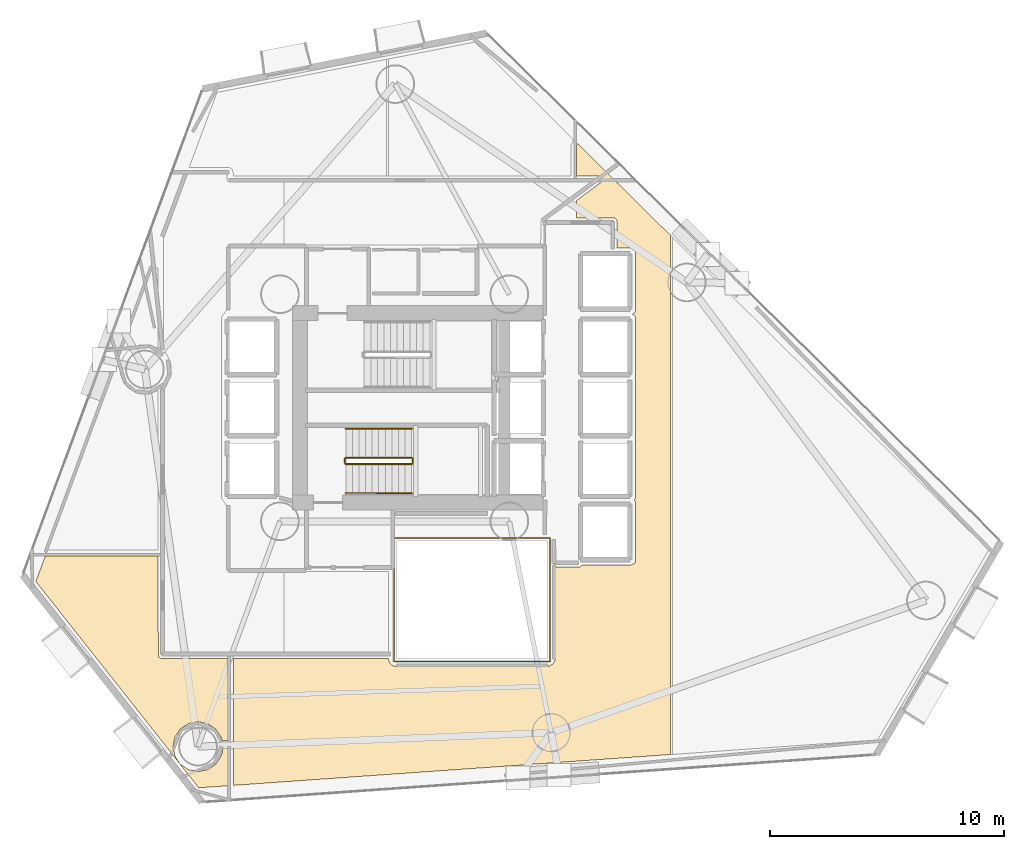
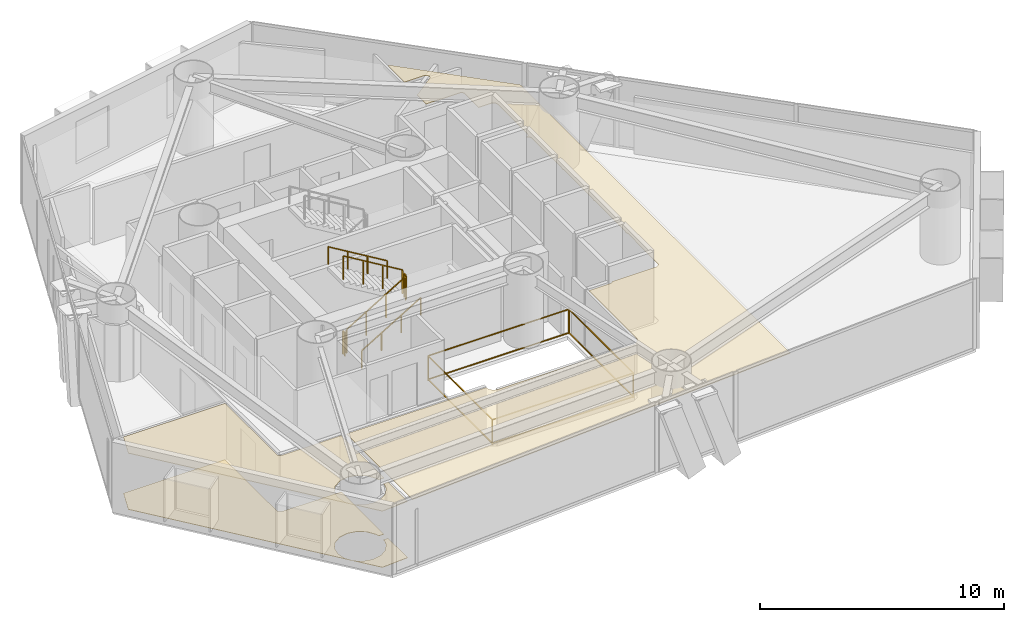
# One storey, part 21 of 24: 7 railings, 3 coverings.
"""IFC4 building model written with IfcOpenShell, lengths in metres."""

from ifc_helpers import new_model, si_unit, direction, frame, origin, origin_2d, place, context, subcontext, project, spatial, polyline, rectangle, outline, extrude, material, layer, layer_set, type_object, element, save


model = new_model("IFC4")

# Units and contexts
model_context = context("Model", 3, precision=1e-05, world=origin(), true_north=direction((0.0, 1.0)))
body_context = subcontext(model_context, "Body", "Model", "MODEL_VIEW")
ifc_project = project(units=[si_unit("LENGTHUNIT", "METRE"), si_unit("AREAUNIT", "SQUARE_METRE"), si_unit("VOLUMEUNIT", "CUBIC_METRE"), si_unit("PLANEANGLEUNIT", "RADIAN"), si_unit("MASSUNIT", "GRAM", prefix="KILO")], contexts=[model_context])

# Site, building, storey
site_placement = place(None, origin())
site = spatial("IfcSite", under=ifc_project, at=site_placement, CompositionType="ELEMENT")
building_placement = place(site_placement, origin())
building = spatial("IfcBuilding", under=site, at=building_placement, Name="Qianvela Tower", CompositionType="ELEMENT")
storey_placement = place(building_placement, frame((0.0, 0.0, 59.89990234375)))
storey = spatial("IfcBuildingStorey", under=building, at=storey_placement, Name="L14", CompositionType="ELEMENT", Elevation=59.89990234375)

# Coverings
ifc_material_1 = material(Name="Perforated Mineral Acoustic Ceiling Tile")
ifc_layer_1 = layer(ifc_material_1, 0.02490234375)
ifc_layer_set_1 = layer_set([ifc_layer_1], Name="Perforated Mineral Acoustic Ceiling Tile")
covering_type_1 = type_object("IfcCoveringType", Name="COV-CEIL-ACOUSTIC-25", PredefinedType="CEILING", material=ifc_layer_set_1)
covering_1_placement = place(storey_placement, frame((0.0, 0.0, 2.815185546875)))
element("IfcCovering", 1, at=covering_1_placement, inside=storey, type_object=covering_type_1, Name="L14 Acoustic Ceiling Media Practice Cinema L14-01", PredefinedType="CEILING", context=body_context, shape_type="SweptSolid", body=[
    extrude(outline(polyline([(23.403564453125, 18.105224609375), (23.40380859375, 18.097412109375), (23.405029296875, 18.089599609375), (23.406982421875, 18.082275390625), (23.40966796875, 18.07470703125), (23.4130859375, 18.067626953125), (23.4169921875, 18.06103515625), (23.421630859375, 18.0546875), (23.427001953125, 18.048828125), (23.432861328125, 18.043701171875), (23.439208984375, 18.0390625), (23.44580078125, 18.034912109375), (23.51220703125, 17.99951171875), (23.519287109375, 17.99609375), (23.52685546875, 17.993408203125), (23.534423828125, 17.991455078125), (23.542236328125, 17.990478515625), (23.550048828125, 17.989990234375), (26.3779296875, 17.989990234375), (26.3779296875, 14.494384765625), (26.1259765625, 14.49365234375), (26.086669921875, 14.625), (26.083984375, 14.63232421875), (26.08056640625, 14.6396484375), (26.076416015625, 14.646484375), (25.863037109375, 14.9658203125), (25.8583984375, 14.972412109375), (25.85302734375, 14.97802734375), (25.847412109375, 14.9833984375), (25.8408203125, 14.988037109375), (25.521484375, 15.201416015625), (25.5146484375, 15.20556640625), (25.507568359375, 15.208984375), (25.500244140625, 15.211669921875), (25.49267578125, 15.21337890625), (25.115478515625, 15.28857421875), (25.10791015625, 15.28955078125), (25.10009765625, 15.2900390625), (25.09228515625, 15.28955078125), (25.08447265625, 15.28857421875), (24.70751953125, 15.21337890625), (24.69970703125, 15.211669921875), (24.6923828125, 15.208984375), (24.685302734375, 15.20556640625), (24.6787109375, 15.201416015625), (24.359130859375, 14.988037109375), (24.352783203125, 14.9833984375), (24.346923828125, 14.97802734375), (24.341796875, 14.972412109375), (24.3369140625, 14.9658203125), (24.12353515625, 14.646484375), (24.119384765625, 14.6396484375), (24.1162109375, 14.632568359375), (24.11328125, 14.625244140625), (24.111572265625, 14.61767578125), (24.03662109375, 14.240478515625), (24.035400390625, 14.23291015625), (24.034912109375, 14.22509765625), (24.035400390625, 14.21728515625), (24.03662109375, 14.20947265625), (24.111572265625, 13.83251953125), (24.11328125, 13.82470703125), (24.1162109375, 13.8173828125), (24.119384765625, 13.810302734375), (24.12353515625, 13.8037109375), (24.3369140625, 13.484130859375), (24.341796875, 13.477783203125), (24.346923828125, 13.471923828125), (24.352783203125, 13.466796875), (24.359130859375, 13.4619140625), (24.6787109375, 13.24853515625), (24.685302734375, 13.244384765625), (24.6923828125, 13.2412109375), (24.69970703125, 13.23828125), (24.70751953125, 13.236572265625), (25.08447265625, 13.16162109375), (25.09228515625, 13.160400390625), (25.10009765625, 13.159912109375), (25.10791015625, 13.160400390625), (25.115478515625, 13.16162109375), (25.49267578125, 13.236572265625), (25.500244140625, 13.23828125), (25.507568359375, 13.2412109375), (25.5146484375, 13.244384765625), (25.521484375, 13.24853515625), (25.8408203125, 13.4619140625), (25.847412109375, 13.466796875), (25.85302734375, 13.471923828125), (25.8583984375, 13.477783203125), (25.863037109375, 13.484130859375), (26.076416015625, 13.8037109375), (26.08056640625, 13.810302734375), (26.083984375, 13.8173828125), (26.086669921875, 13.82470703125), (26.142578125, 14.009521484375), (26.14453125, 14.017578125), (26.145751953125, 14.025634765625), (26.1572265625, 14.15380859375), (26.3779296875, 14.154296875), (26.3779296875, 12.552490234375), (25.131103515625, 12.464599609375), (18.17138671875, 21.279296875), (18.578125, 22.3779296875), (23.39013671875, 22.3779296875), (23.403564453125, 18.105224609375)])), origin(), (0.0, 0.0, 1.0), 0.02490234375),
])
covering_2_placement = place(storey_placement, frame((0.0, 0.0, 2.815185546875)))
element("IfcCovering", 2, at=covering_2_placement, inside=storey, type_object=covering_type_1, Name="L14 Acoustic Ceiling Bay 1 Student Fitness Gym L14-02", PredefinedType="CEILING", context=body_context, shape_type="SweptSolid", body=[
    extrude(outline(polyline([(26.6220703125, 17.989990234375), (33.243408203125, 17.989990234375), (33.24560546875, 17.94189453125), (33.24609375, 17.93505859375), (33.247314453125, 17.927978515625), (33.2490234375, 17.92138671875), (33.25146484375, 17.914794921875), (33.293212890625, 17.813720703125), (33.296630859375, 17.806640625), (33.30078125, 17.800048828125), (33.305419921875, 17.793701171875), (33.310546875, 17.787841796875), (33.387939453125, 17.710693359375), (33.39306640625, 17.705810546875), (33.398681640625, 17.70166015625), (33.40478515625, 17.69775390625), (33.410888671875, 17.694580078125), (33.41748046875, 17.69189453125), (33.545654296875, 17.64599609375), (33.55224609375, 17.64404296875), (33.558837890625, 17.642578125), (33.565673828125, 17.6416015625), (33.572509765625, 17.641357421875), (40.0546875, 17.6455078125), (40.063232421875, 17.64599609375), (40.07177734375, 17.647216796875), (40.080078125, 17.6494140625), (40.088134765625, 17.652587890625), (40.095703125, 17.65673828125), (40.257568359375, 17.75390625), (40.263671875, 17.7578125), (40.269287109375, 17.76220703125), (40.274658203125, 17.767333984375), (40.279296875, 17.77294921875), (40.28369140625, 17.77880859375), (40.287353515625, 17.78515625), (40.290283203125, 17.791748046875), (40.3525390625, 17.94189453125), (40.355224609375, 17.94921875), (40.357177734375, 17.956787109375), (40.3583984375, 17.964599609375), (40.358642578125, 17.972412109375), (40.360107421875, 21.889892578125), (41.367919921875, 21.890380859375), (41.375732421875, 21.890869140625), (41.383544921875, 21.891845703125), (41.39111328125, 21.893798828125), (41.3984375, 21.896484375), (41.405517578125, 21.89990234375), (41.45947265625, 21.9287109375), (41.46630859375, 21.932861328125), (41.472900390625, 21.9375), (41.478759765625, 21.943115234375), (41.48388671875, 21.948974609375), (41.48876953125, 21.955322265625), (41.492919921875, 21.96240234375), (41.49609375, 21.969482421875), (41.498779296875, 21.97705078125), (41.49951171875, 21.97998046875), (43.580078125, 21.97998046875), (43.587158203125, 21.980224609375), (43.59423828125, 21.981201171875), (43.601318359375, 21.98291015625), (43.608154296875, 21.985107421875), (43.61474609375, 21.988037109375), (43.62109375, 21.991455078125), (43.74462890625, 22.0654296875), (43.75146484375, 22.070068359375), (43.7578125, 22.0751953125), (43.763427734375, 22.0810546875), (43.7685546875, 22.08740234375), (43.77294921875, 22.09423828125), (43.776611328125, 22.101806640625), (43.779541015625, 22.109375), (43.78173828125, 22.1171875), (43.782958984375, 22.125244140625), (43.783447265625, 22.133544921875), (43.800048828125, 24.599609375), (43.7998046875, 24.6064453125), (43.798828125, 24.61328125), (43.79736328125, 24.620361328125), (43.79541015625, 24.626953125), (43.763427734375, 24.7158203125), (43.760498046875, 24.722900390625), (43.7568359375, 24.72998046875), (43.75244140625, 24.736572265625), (43.74755859375, 24.742431640625), (43.741943359375, 24.748046875), (43.73779296875, 24.75146484375), (43.785888671875, 24.83154296875), (43.7900390625, 24.839111328125), (43.793212890625, 24.84716796875), (43.79541015625, 24.85546875), (43.796875, 24.864013671875), (43.79736328125, 24.87255859375), (43.800048828125, 27.2998046875), (43.799560546875, 27.307861328125), (43.79833984375, 27.31591796875), (43.79638671875, 27.323486328125), (43.793701171875, 27.3310546875), (43.7646484375, 27.39990234375), (43.793701171875, 27.468994140625), (43.79638671875, 27.476318359375), (43.79833984375, 27.484130859375), (43.799560546875, 27.491943359375), (43.800048828125, 27.5), (43.800048828125, 29.89990234375), (43.799560546875, 29.907958984375), (43.79833984375, 29.915771484375), (43.79638671875, 29.923583984375), (43.793701171875, 29.93115234375), (43.7646484375, 30.0), (43.793701171875, 30.06884765625), (43.79638671875, 30.076416015625), (43.79833984375, 30.084228515625), (43.799560546875, 30.09228515625), (43.800048828125, 30.10009765625), (43.7939453125, 32.540771484375), (43.793701171875, 32.548583984375), (43.79248046875, 32.556396484375), (43.79052734375, 32.56396484375), (43.787841796875, 32.5712890625), (43.784423828125, 32.578369140625), (43.780517578125, 32.585205078125), (43.7353515625, 32.652587890625), (43.73095703125, 32.658447265625), (43.726318359375, 32.6640625), (43.720947265625, 32.6689453125), (43.715087890625, 32.673583984375), (43.708984375, 32.677490234375), (43.702392578125, 32.680908203125), (43.69580078125, 32.68359375), (43.644287109375, 32.701904296875), (43.722412109375, 32.739013671875), (43.729248046875, 32.74267578125), (43.73583984375, 32.746826171875), (43.741943359375, 32.751953125), (43.74755859375, 32.757568359375), (43.75244140625, 32.763427734375), (43.7568359375, 32.77001953125), (43.760498046875, 32.777099609375), (43.763427734375, 32.7841796875), (43.79541015625, 32.873046875), (43.7978515625, 32.8818359375), (43.799560546875, 32.890869140625), (43.800048828125, 32.89990234375), (43.800048828125, 35.300048828125), (43.799560546875, 35.30908203125), (43.7978515625, 35.318115234375), (43.79541015625, 35.326904296875), (43.763427734375, 35.415771484375), (43.760498046875, 35.423095703125), (43.7568359375, 35.429931640625), (43.75244140625, 35.4365234375), (43.74755859375, 35.4423828125), (43.741943359375, 35.447998046875), (43.73583984375, 35.453125), (43.729248046875, 35.45751953125), (43.6484375, 35.505859375), (43.640869140625, 35.510009765625), (43.6328125, 35.51318359375), (43.62451171875, 35.515380859375), (43.6162109375, 35.516845703125), (43.607666015625, 35.517333984375), (43.0, 35.519775390625), (43.010009765625, 36.6494140625), (43.009765625, 36.656494140625), (43.0087890625, 36.663818359375), (43.007080078125, 36.6708984375), (43.0048828125, 36.677978515625), (43.002197265625, 36.684814453125), (42.99853515625, 36.691162109375), (42.956298828125, 36.76171875), (42.951904296875, 36.7685546875), (42.946533203125, 36.77490234375), (42.940673828125, 36.780517578125), (42.93408203125, 36.78564453125), (42.92724609375, 36.7900390625), (42.919921875, 36.793701171875), (42.912353515625, 36.796630859375), (42.904296875, 36.798828125), (42.896240234375, 36.800048828125), (42.88818359375, 36.800537109375), (41.261962890625, 36.8095703125), (41.261962890625, 37.552001953125), (42.298583984375, 38.321533203125), (42.303955078125, 38.326171875), (42.30908203125, 38.3310546875), (42.31396484375, 38.336669921875), (42.318115234375, 38.342529296875), (42.32177734375, 38.3486328125), (42.35400390625, 38.410400390625), (42.357177734375, 38.417236328125), (42.359619140625, 38.424560546875), (42.361572265625, 38.431884765625), (42.362548828125, 38.439208984375), (42.363037109375, 38.44677734375), (42.36279296875, 38.454345703125), (42.36181640625, 38.4619140625), (42.360107421875, 38.46923828125), (42.357666015625, 38.476318359375), (42.335205078125, 38.53466796875), (42.33203125, 38.54150390625), (42.328369140625, 38.548095703125), (42.32421875, 38.55419921875), (42.3193359375, 38.559814453125), (42.31396484375, 38.565185546875), (42.30810546875, 38.56982421875), (42.302001953125, 38.57421875), (42.29541015625, 38.57763671875), (42.245849609375, 38.6015625), (42.2392578125, 38.6044921875), (42.232421875, 38.606689453125), (42.225341796875, 38.6083984375), (42.21826171875, 38.609375), (42.211181640625, 38.609619140625), (41.26220703125, 38.610107421875), (41.2626953125, 39.880126953125), (41.3125, 39.993896484375), (45.29052734375, 36.06103515625), (45.29052734375, 13.885986328125), (26.6220703125, 12.56982421875), (26.6220703125, 17.989990234375)])), origin(), (0.0, 0.0, 1.0), 0.02490234375),
])
ifc_material_2 = material(Name="Engineered Acoustic Oak Timber Flooring", Category="wood")
ifc_layer_2 = layer(ifc_material_2, 0.02001953125)
ifc_layer_set_2 = layer_set([ifc_layer_2], Name="Engineered Acoustic Oak Timber Flooring")
covering_type_2 = type_object("IfcCoveringType", Name="COV-FLOOR-OAK-20", PredefinedType="FLOORING", material=ifc_layer_set_2)
covering_3_placement = place(storey_placement, origin())
element("IfcCovering", 3, at=covering_3_placement, inside=storey, type_object=covering_type_2, Name="L14 Finish Flooring Media Practice Cinema L14-01", PredefinedType="FLOORING", context=body_context, shape_type="SweptSolid", body=[
    extrude(outline(polyline([(23.403564453125, 18.105224609375), (23.40380859375, 18.097412109375), (23.405029296875, 18.089599609375), (23.406982421875, 18.082275390625), (23.40966796875, 18.07470703125), (23.4130859375, 18.067626953125), (23.4169921875, 18.06103515625), (23.421630859375, 18.0546875), (23.427001953125, 18.048828125), (23.432861328125, 18.043701171875), (23.439208984375, 18.0390625), (23.44580078125, 18.034912109375), (23.51220703125, 17.99951171875), (23.519287109375, 17.99609375), (23.52685546875, 17.993408203125), (23.534423828125, 17.991455078125), (23.542236328125, 17.990478515625), (23.550048828125, 17.989990234375), (26.3779296875, 17.989990234375), (26.3779296875, 14.494384765625), (26.1259765625, 14.49365234375), (26.086669921875, 14.625), (26.083984375, 14.63232421875), (26.08056640625, 14.6396484375), (26.076416015625, 14.646484375), (25.863037109375, 14.9658203125), (25.8583984375, 14.972412109375), (25.85302734375, 14.97802734375), (25.847412109375, 14.9833984375), (25.8408203125, 14.988037109375), (25.521484375, 15.201416015625), (25.5146484375, 15.20556640625), (25.507568359375, 15.208984375), (25.500244140625, 15.211669921875), (25.49267578125, 15.21337890625), (25.115478515625, 15.28857421875), (25.10791015625, 15.28955078125), (25.10009765625, 15.2900390625), (25.09228515625, 15.28955078125), (25.08447265625, 15.28857421875), (24.70751953125, 15.21337890625), (24.69970703125, 15.211669921875), (24.6923828125, 15.208984375), (24.685302734375, 15.20556640625), (24.6787109375, 15.201416015625), (24.359130859375, 14.988037109375), (24.352783203125, 14.9833984375), (24.346923828125, 14.97802734375), (24.341796875, 14.972412109375), (24.3369140625, 14.9658203125), (24.12353515625, 14.646484375), (24.119384765625, 14.6396484375), (24.1162109375, 14.632568359375), (24.11328125, 14.625244140625), (24.111572265625, 14.61767578125), (24.03662109375, 14.240478515625), (24.035400390625, 14.23291015625), (24.034912109375, 14.22509765625), (24.035400390625, 14.21728515625), (24.03662109375, 14.20947265625), (24.111572265625, 13.83251953125), (24.11328125, 13.82470703125), (24.1162109375, 13.8173828125), (24.119384765625, 13.810302734375), (24.12353515625, 13.8037109375), (24.3369140625, 13.484130859375), (24.341796875, 13.477783203125), (24.346923828125, 13.471923828125), (24.352783203125, 13.466796875), (24.359130859375, 13.4619140625), (24.6787109375, 13.24853515625), (24.685302734375, 13.244384765625), (24.6923828125, 13.2412109375), (24.69970703125, 13.23828125), (24.70751953125, 13.236572265625), (25.08447265625, 13.16162109375), (25.09228515625, 13.160400390625), (25.10009765625, 13.159912109375), (25.10791015625, 13.160400390625), (25.115478515625, 13.16162109375), (25.49267578125, 13.236572265625), (25.500244140625, 13.23828125), (25.507568359375, 13.2412109375), (25.5146484375, 13.244384765625), (25.521484375, 13.24853515625), (25.8408203125, 13.4619140625), (25.847412109375, 13.466796875), (25.85302734375, 13.471923828125), (25.8583984375, 13.477783203125), (25.863037109375, 13.484130859375), (26.076416015625, 13.8037109375), (26.08056640625, 13.810302734375), (26.083984375, 13.8173828125), (26.086669921875, 13.82470703125), (26.142578125, 14.009521484375), (26.14453125, 14.017578125), (26.145751953125, 14.025634765625), (26.1572265625, 14.15380859375), (26.3779296875, 14.154296875), (26.3779296875, 12.552490234375), (25.131103515625, 12.464599609375), (18.17138671875, 21.279296875), (18.578125, 22.3779296875), (23.39013671875, 22.3779296875), (23.403564453125, 18.105224609375)])), origin(), (0.0, 0.0, 1.0), 0.02001953125),
])

# Railings
ifc_material_3 = material(Name="Laminated Safety Glass and Stainless Steel 316", Category="steel")
railing_type_1 = type_object("IfcRailingType", Name="RL-ATRIUM-GUARD-1250", PredefinedType="GUARDRAIL", material=ifc_material_3)
railing_1_placement = place(storey_placement, frame((33.4599609375, 17.860107421875, 0.0)))
element("IfcRailing", 4, at=railing_1_placement, inside=storey, type_object=railing_type_1, Name="L14 Atrium Edge Guardrail 1", PredefinedType="GUARDRAIL", context=body_context, shape_type="SweptSolid", body=[
    extrude(rectangle(XDim=0.050048828125, YDim=0.0400390625, at=origin_2d()), frame((0.0, 0.0, 1.22998046875), z_axis=(0.0, 1.0, 0.0), x_axis=(-1.0, 0.0, 0.0)), (0.0, 0.0, 1.0), 5.27978515625),
    extrude(rectangle(XDim=0.050048828125, YDim=0.0400390625, at=origin_2d()), frame((0.0, 0.0, 0.050048828125), z_axis=(0.0, 1.0, 0.0), x_axis=(-1.0, 0.0, 0.0)), (0.0, 0.0, 1.0), 5.27978515625),
    extrude(rectangle(XDim=0.050048828125, YDim=0.0400390625, at=origin_2d()), frame((0.0, 5.27978515625, 1.22998046875), z_axis=(1.0, 0.0, 0.0), x_axis=(0.0, 1.0, 0.0)), (0.0, 0.0, 1.0), 6.679931640625),
    extrude(rectangle(XDim=0.050048828125, YDim=0.0400390625, at=origin_2d()), frame((0.0, 5.27978515625, 0.050048828125), z_axis=(1.0, 0.0, 0.0), x_axis=(0.0, 1.0, 0.0)), (0.0, 0.0, 1.0), 6.679931640625),
    extrude(rectangle(XDim=0.050048828125, YDim=0.0400390625, at=origin_2d()), frame((6.679931640625, 5.27978515625, 1.22998046875), z_axis=(0.0, -1.0, 0.0), x_axis=(1.0, 0.0, 0.0)), (0.0, 0.0, 1.0), 5.27978515625),
    extrude(rectangle(XDim=0.050048828125, YDim=0.0400390625, at=origin_2d()), frame((6.679931640625, 5.27978515625, 0.050048828125), z_axis=(0.0, -1.0, 0.0), x_axis=(1.0, 0.0, 0.0)), (0.0, 0.0, 1.0), 5.27978515625),
    extrude(rectangle(XDim=0.050048828125, YDim=0.0400390625, at=origin_2d()), frame((6.679931640625, 0.0, 1.22998046875), z_axis=(-1.0, 0.0, 0.0), x_axis=(0.0, -1.0, 0.0)), (0.0, 0.0, 1.0), 6.679931640625),
    extrude(rectangle(XDim=0.050048828125, YDim=0.0400390625, at=origin_2d()), frame((6.679931640625, 0.0, 0.050048828125), z_axis=(-1.0, 0.0, 0.0), x_axis=(0.0, -1.0, 0.0)), (0.0, 0.0, 1.0), 6.679931640625),
    extrude(rectangle(XDim=0.050048828125, YDim=0.050048828125, at=origin_2d()), origin(), (0.0, 0.0, 1.0), 1.2099609375),
    extrude(rectangle(XDim=0.050048828125, YDim=0.050048828125, at=origin_2d()), frame((0.0, 5.27978515625, 0.0)), (0.0, 0.0, 1.0), 1.2099609375),
    extrude(rectangle(XDim=0.050048828125, YDim=0.050048828125, at=origin_2d()), frame((6.679931640625, 5.27978515625, 0.0)), (0.0, 0.0, 1.0), 1.2099609375),
    extrude(rectangle(XDim=0.050048828125, YDim=0.050048828125, at=origin_2d()), frame((6.679931640625, 0.0, 0.0)), (0.0, 0.0, 1.0), 1.2099609375),
])
ifc_material_4 = material(Name="Painted Tubular Steel Q355B", Category="steel")
railing_type_2 = type_object("IfcRailingType", Name="RL-STAIR-GUARD-1200", PredefinedType="GUARDRAIL", material=ifc_material_4)
railing_2_placement = place(storey_placement, frame((31.419921875, 26.300048828125, 0.168212890625)))
element("IfcRailing", 5, at=railing_2_placement, inside=storey, type_object=railing_type_2, Name="L14 ST-2 stair guard 1", PredefinedType="GUARDRAIL", context=body_context, shape_type="SweptSolid", body=[
    extrude(rectangle(XDim=0.050048828125, YDim=0.0400390625, at=origin_2d()), frame((0.0, 0.0, 1.179931640625), z_axis=(0.857242210791, 0.0, 0.514913383045), x_axis=(0.0, 1.0, 0.0)), (0.0, 0.0, 1.0), 3.266357421875),
    extrude(rectangle(XDim=0.050048828125, YDim=0.050048828125, at=origin_2d()), origin(), (0.0, 0.0, 1.0), 1.159912109375),
    extrude(rectangle(XDim=0.050048828125, YDim=0.050048828125, at=origin_2d()), frame((0.933349609375, 0.0, 0.560546875)), (0.0, 0.0, 1.0), 1.159912109375),
    extrude(rectangle(XDim=0.050048828125, YDim=0.050048828125, at=origin_2d()), frame((1.86669921875, 0.0, 1.121337890625)), (0.0, 0.0, 1.0), 1.159912109375),
    extrude(rectangle(XDim=0.050048828125, YDim=0.050048828125, at=origin_2d()), frame((2.800048828125, 0.0, 1.681884765625)), (0.0, 0.0, 1.0), 1.159912109375),
])
railing_3_placement = place(storey_placement, frame((34.27001953125, 26.35009765625, 1.85009765625)))
element("IfcRailing", 6, at=railing_3_placement, inside=storey, type_object=railing_type_2, Name="L14 ST-2 stair guard 2", PredefinedType="GUARDRAIL", context=body_context, shape_type="SweptSolid", body=[
    extrude(rectangle(XDim=0.050048828125, YDim=0.0400390625, at=origin_2d()), frame((0.0, 0.0, 1.179931640625), z_axis=(0.0, 1.0, 0.0), x_axis=(-1.0, 0.0, 0.0)), (0.0, 0.0, 1.0), 0.159912109375),
    extrude(rectangle(XDim=0.050048828125, YDim=0.050048828125, at=origin_2d()), origin(), (0.0, 0.0, 1.0), 1.159912109375),
    extrude(rectangle(XDim=0.050048828125, YDim=0.050048828125, at=origin_2d()), frame((0.0, 0.159912109375, 0.0)), (0.0, 0.0, 1.0), 1.159912109375),
])
railing_4_placement = place(storey_placement, frame((34.219970703125, 26.56005859375, 2.018310546875)))
element("IfcRailing", 7, at=railing_4_placement, inside=storey, type_object=railing_type_2, Name="L14 ST-2 stair guard 3", PredefinedType="GUARDRAIL", context=body_context, shape_type="SweptSolid", body=[
    extrude(rectangle(XDim=0.050048828125, YDim=0.0400390625, at=origin_2d()), frame((0.0, 0.0, 1.179931640625), z_axis=(-0.857242210791, 0.0, 0.514913383045), x_axis=(0.0, -1.0, 0.0)), (0.0, 0.0, 1.0), 3.266357421875),
    extrude(rectangle(XDim=0.050048828125, YDim=0.050048828125, at=origin_2d()), origin(), (0.0, 0.0, 1.0), 1.159912109375),
    extrude(rectangle(XDim=0.050048828125, YDim=0.050048828125, at=origin_2d()), frame((-0.933349609375, 0.0, 0.560546875)), (0.0, 0.0, 1.0), 1.159912109375),
    extrude(rectangle(XDim=0.050048828125, YDim=0.050048828125, at=origin_2d()), frame((-1.86669921875, 0.0, 1.121337890625)), (0.0, 0.0, 1.0), 1.159912109375),
    extrude(rectangle(XDim=0.050048828125, YDim=0.050048828125, at=origin_2d()), frame((-2.800048828125, 0.0, 1.681884765625)), (0.0, 0.0, 1.0), 1.159912109375),
])
railing_5_placement = place(storey_placement, frame((31.3701171875, 26.35009765625, 0.0)))
element("IfcRailing", 8, at=railing_5_placement, inside=storey, type_object=railing_type_2, Name="L14 ST-2 stair guard 4", PredefinedType="GUARDRAIL", context=body_context, shape_type="SweptSolid", body=[
    extrude(rectangle(XDim=0.050048828125, YDim=0.0400390625, at=origin_2d()), frame((0.0, 0.0, 1.179931640625), z_axis=(0.0, 1.0, 0.0), x_axis=(-1.0, 0.0, 0.0)), (0.0, 0.0, 1.0), 0.159912109375),
    extrude(rectangle(XDim=0.050048828125, YDim=0.050048828125, at=origin_2d()), origin(), (0.0, 0.0, 1.0), 1.159912109375),
    extrude(rectangle(XDim=0.050048828125, YDim=0.050048828125, at=origin_2d()), frame((0.0, 0.159912109375, 0.0)), (0.0, 0.0, 1.0), 1.159912109375),
])
ifc_material_5 = material(Name="Brushed Stainless Steel 304", Category="steel")
railing_type_3 = type_object("IfcRailingType", Name="RL-STAIR-HANDRAIL-900", PredefinedType="HANDRAIL", material=ifc_material_5)
railing_6_placement = place(storey_placement, frame((31.419921875, 25.050048828125, 0.168212890625)))
element("IfcRailing", 9, at=railing_6_placement, inside=storey, type_object=railing_type_3, Name="L14 ST-2 stair handrail 1", PredefinedType="HANDRAIL", context=body_context, shape_type="SweptSolid", body=[
    extrude(rectangle(XDim=0.050048828125, YDim=0.0400390625, at=origin_2d()), frame((0.0, 0.0, 0.8798828125), z_axis=(0.857242210791, 0.0, 0.514913383045), x_axis=(0.0, 1.0, 0.0)), (0.0, 0.0, 1.0), 3.266357421875),
    extrude(rectangle(XDim=0.050048828125, YDim=0.050048828125, at=origin_2d()), origin(), (0.0, 0.0, 1.0), 0.85986328125),
    extrude(rectangle(XDim=0.050048828125, YDim=0.050048828125, at=origin_2d()), frame((0.933349609375, 0.0, 0.560546875)), (0.0, 0.0, 1.0), 0.85986328125),
    extrude(rectangle(XDim=0.050048828125, YDim=0.050048828125, at=origin_2d()), frame((1.86669921875, 0.0, 1.121337890625)), (0.0, 0.0, 1.0), 0.85986328125),
    extrude(rectangle(XDim=0.050048828125, YDim=0.050048828125, at=origin_2d()), frame((2.800048828125, 0.0, 1.681884765625)), (0.0, 0.0, 1.0), 0.85986328125),
])
railing_7_placement = place(storey_placement, frame((34.219970703125, 27.81005859375, 2.018310546875)))
element("IfcRailing", 10, at=railing_7_placement, inside=storey, type_object=railing_type_3, Name="L14 ST-2 stair handrail 2", PredefinedType="HANDRAIL", context=body_context, shape_type="SweptSolid", body=[
    extrude(rectangle(XDim=0.050048828125, YDim=0.0400390625, at=origin_2d()), frame((0.0, 0.0, 0.8798828125), z_axis=(-0.857242210791, 0.0, 0.514913383045), x_axis=(0.0, -1.0, 0.0)), (0.0, 0.0, 1.0), 3.266357421875),
    extrude(rectangle(XDim=0.050048828125, YDim=0.050048828125, at=origin_2d()), origin(), (0.0, 0.0, 1.0), 0.85986328125),
    extrude(rectangle(XDim=0.050048828125, YDim=0.050048828125, at=origin_2d()), frame((-0.933349609375, 0.0, 0.560546875)), (0.0, 0.0, 1.0), 0.85986328125),
    extrude(rectangle(XDim=0.050048828125, YDim=0.050048828125, at=origin_2d()), frame((-1.86669921875, 0.0, 1.121337890625)), (0.0, 0.0, 1.0), 0.85986328125),
    extrude(rectangle(XDim=0.050048828125, YDim=0.050048828125, at=origin_2d()), frame((-2.800048828125, 0.0, 1.681884765625)), (0.0, 0.0, 1.0), 0.85986328125),
])

save(model, "model.ifc")
